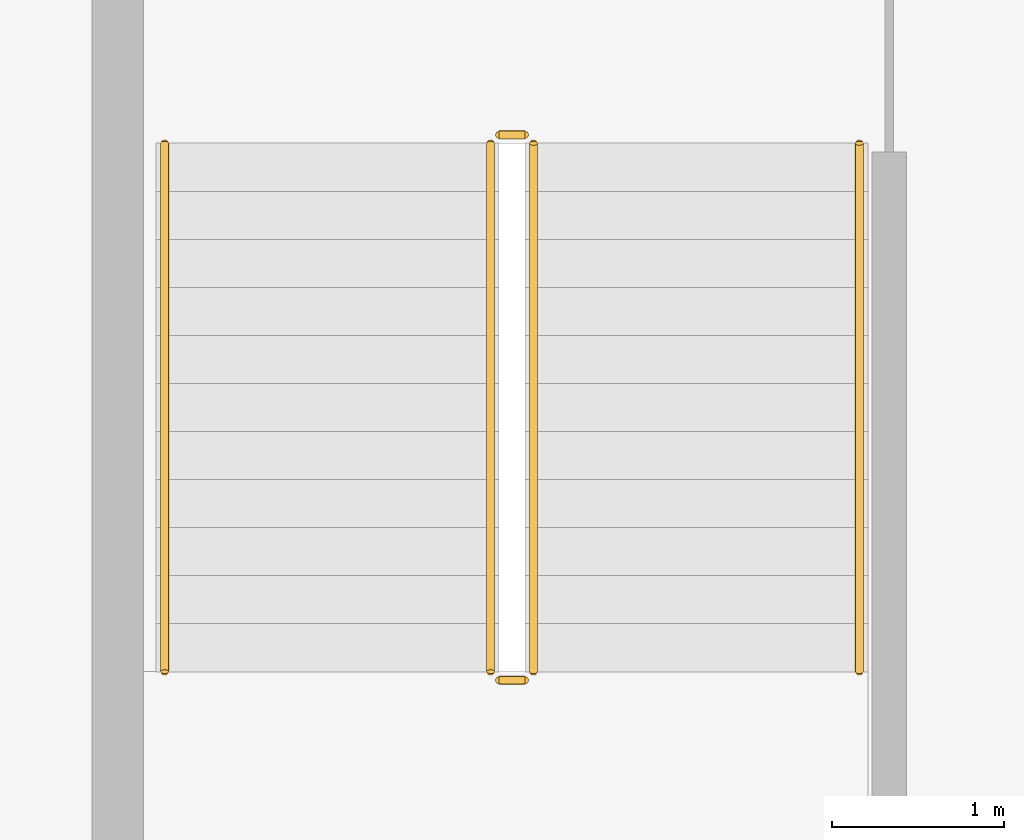
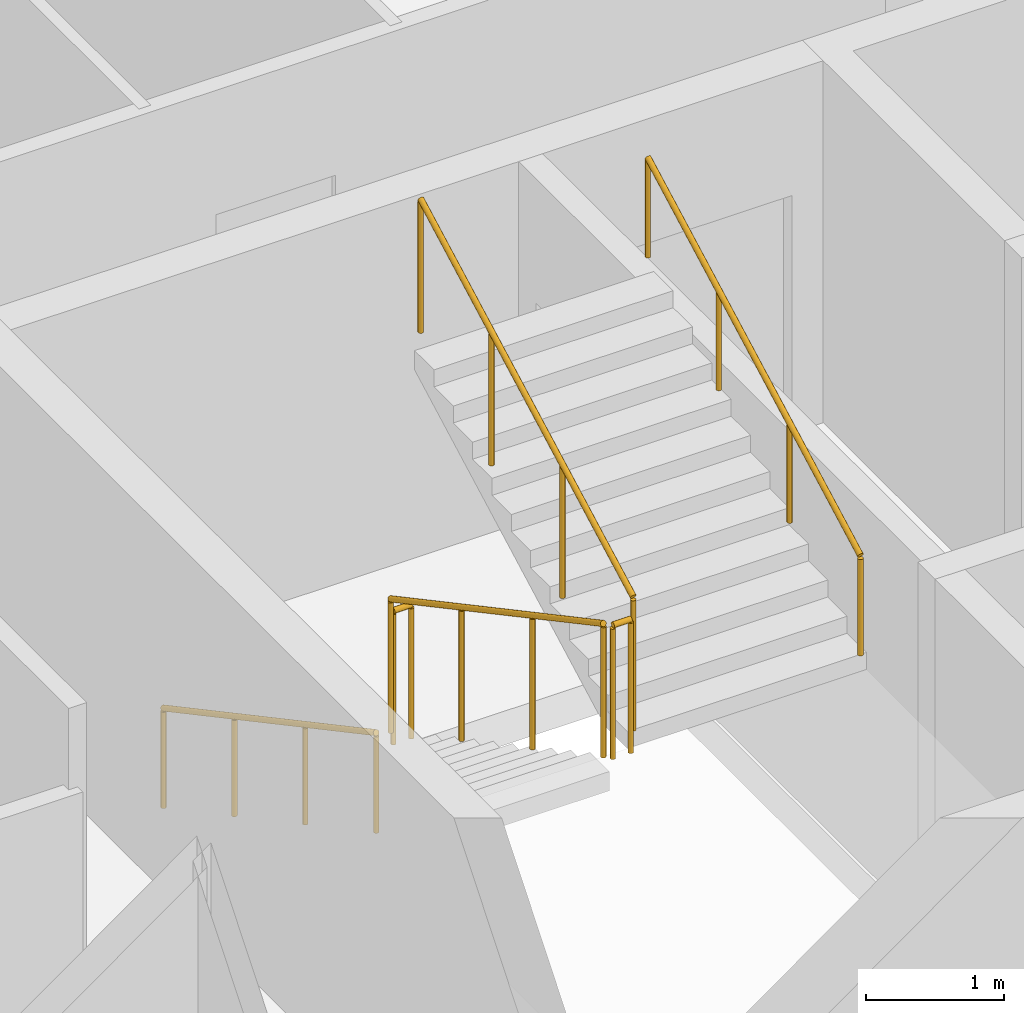
# One storey, part 13 of 15: 6 railings.
"""IFC4 building model written with IfcOpenShell, lengths in metres."""

from ifc_helpers import new_model, si_unit, direction, frame, origin, origin_2d, place, context, subcontext, project, spatial, circle, extrude, material, type_object, element, save


model = new_model("IFC4")

# Units and contexts
model_context = context("Model", 3, precision=1e-05, world=origin(), true_north=direction((0.0, 1.0)))
body_context = subcontext(model_context, "Body", "Model", "MODEL_VIEW")
ifc_project = project(units=[si_unit("LENGTHUNIT", "METRE"), si_unit("AREAUNIT", "SQUARE_METRE"), si_unit("VOLUMEUNIT", "CUBIC_METRE"), si_unit("PLANEANGLEUNIT", "RADIAN"), si_unit("MASSUNIT", "GRAM", prefix="KILO")], contexts=[model_context])

# Site, building, storey
site_placement = place(None, origin())
site = spatial("IfcSite", under=ifc_project, at=site_placement, CompositionType="ELEMENT")
building_placement = place(site_placement, origin())
building = spatial("IfcBuilding", under=site, at=building_placement, Name="Caravel Reach Hotel and Residences", CompositionType="ELEMENT")
storey_placement = place(building_placement, frame((0.0, 0.0, 92.39990234375)))
storey = spatial("IfcBuildingStorey", under=building, at=storey_placement, Name="L22", CompositionType="ELEMENT", Elevation=92.39990234375)

# Railings
ifc_material_1 = material(Name="Steel balustrade with glass infill", Category="steel")
railing_type_1 = type_object("IfcRailingType", Name="Guard 1200", PredefinedType="GUARDRAIL", material=ifc_material_1)
railing_1_placement = place(storey_placement, frame((20.175048828125, 29.35009765625, 0.150146484375)))
element("IfcRailing", 1, at=railing_1_placement, inside=storey, type_object=railing_type_1, Name="L22 ST-A stair guard 1", PredefinedType="GUARDRAIL", context=body_context, shape_type="SweptSolid", body=[
    extrude(circle(Radius=0.02392578125, at=origin_2d()), frame((0.0, 0.0, 1.17578125), z_axis=(0.0, -0.881496589024, 0.472190389079), x_axis=(1.0, 0.0, 0.0)), (0.0, 0.0, 1.0), 3.494140625),
    extrude(circle(Radius=0.02099609375, at=origin_2d()), origin(), (0.0, 0.0, 1.0), 1.15185546875),
    extrude(circle(Radius=0.02099609375, at=origin_2d()), frame((0.0, -1.026611328125, 0.550048828125)), (0.0, 0.0, 1.0), 1.15185546875),
    extrude(circle(Radius=0.02099609375, at=origin_2d()), frame((0.0, -2.053466796875, 1.099853515625)), (0.0, 0.0, 1.0), 1.15185546875),
    extrude(circle(Radius=0.02099609375, at=origin_2d()), frame((0.0, -3.080078125, 1.64990234375)), (0.0, 0.0, 1.0), 1.15185546875),
])
railing_2_placement = place(storey_placement, frame((20.22509765625, 26.219970703125, 1.800048828125)))
element("IfcRailing", 2, at=railing_2_placement, inside=storey, type_object=railing_type_1, Name="L22 ST-A stair guard 2", PredefinedType="GUARDRAIL", context=body_context, shape_type="SweptSolid", body=[
    extrude(circle(Radius=0.02392578125, at=origin_2d()), frame((0.0, 0.0, 1.17578125), z_axis=(1.0, 0.0, 0.0), x_axis=(0.0, 1.0, 0.0)), (0.0, 0.0, 1.0), 0.14990234375),
    extrude(circle(Radius=0.02099609375, at=origin_2d()), origin(), (0.0, 0.0, 1.0), 1.15185546875),
    extrude(circle(Radius=0.02099609375, at=origin_2d()), frame((0.14990234375, 0.0, 0.0)), (0.0, 0.0, 1.0), 1.15185546875),
])
railing_3_placement = place(storey_placement, frame((20.425048828125, 26.27001953125, 1.9501953125)))
element("IfcRailing", 3, at=railing_3_placement, inside=storey, type_object=railing_type_1, Name="L22 ST-A stair guard 3", PredefinedType="GUARDRAIL", context=body_context, shape_type="SweptSolid", body=[
    extrude(circle(Radius=0.02392578125, at=origin_2d()), frame((0.0, 0.0, 1.17578125), z_axis=(0.0, 0.881496589024, 0.472190389079), x_axis=(-1.0, 0.0, 0.0)), (0.0, 0.0, 1.0), 3.494140625),
    extrude(circle(Radius=0.02099609375, at=origin_2d()), origin(), (0.0, 0.0, 1.0), 1.15185546875),
    extrude(circle(Radius=0.02099609375, at=origin_2d()), frame((0.0, 1.026611328125, 0.550048828125)), (0.0, 0.0, 1.0), 1.15185546875),
    extrude(circle(Radius=0.02099609375, at=origin_2d()), frame((0.0, 2.053466796875, 1.099853515625)), (0.0, 0.0, 1.0), 1.15185546875),
    extrude(circle(Radius=0.02099609375, at=origin_2d()), frame((0.0, 3.080078125, 1.64990234375)), (0.0, 0.0, 1.0), 1.15185546875),
])
railing_4_placement = place(storey_placement, frame((20.22509765625, 29.39990234375, 0.0)))
element("IfcRailing", 4, at=railing_4_placement, inside=storey, type_object=railing_type_1, Name="L22 ST-A stair guard 4", PredefinedType="GUARDRAIL", context=body_context, shape_type="SweptSolid", body=[
    extrude(circle(Radius=0.02392578125, at=origin_2d()), frame((0.0, 0.0, 1.17578125), z_axis=(1.0, 0.0, 0.0), x_axis=(0.0, 1.0, 0.0)), (0.0, 0.0, 1.0), 0.14990234375),
    extrude(circle(Radius=0.02099609375, at=origin_2d()), origin(), (0.0, 0.0, 1.0), 1.15185546875),
    extrude(circle(Radius=0.02099609375, at=origin_2d()), frame((0.14990234375, 0.0, 0.0)), (0.0, 0.0, 1.0), 1.15185546875),
])
ifc_material_2 = material(Name="Stainless steel handrail", Category="steel")
railing_type_2 = type_object("IfcRailingType", Name="Handrail 900", PredefinedType="HANDRAIL", material=ifc_material_2)
railing_5_placement = place(storey_placement, frame((18.27490234375, 29.35009765625, 0.150146484375)))
element("IfcRailing", 5, at=railing_5_placement, inside=storey, type_object=railing_type_2, Name="L22 ST-A stair handrail 1", PredefinedType="HANDRAIL", context=body_context, shape_type="SweptSolid", body=[
    extrude(circle(Radius=0.02392578125, at=origin_2d()), frame((0.0, 0.0, 0.8759765625), z_axis=(0.0, -0.881496589024, 0.472190389079), x_axis=(1.0, 0.0, 0.0)), (0.0, 0.0, 1.0), 3.494140625),
    extrude(circle(Radius=0.02099609375, at=origin_2d()), origin(), (0.0, 0.0, 1.0), 0.851806640625),
    extrude(circle(Radius=0.02099609375, at=origin_2d()), frame((0.0, -1.026611328125, 0.550048828125)), (0.0, 0.0, 1.0), 0.851806640625),
    extrude(circle(Radius=0.02099609375, at=origin_2d()), frame((0.0, -2.053466796875, 1.099853515625)), (0.0, 0.0, 1.0), 0.851806640625),
    extrude(circle(Radius=0.02099609375, at=origin_2d()), frame((0.0, -3.080078125, 1.64990234375)), (0.0, 0.0, 1.0), 0.851806640625),
])
railing_6_placement = place(storey_placement, frame((22.324951171875, 26.27001953125, 1.9501953125)))
element("IfcRailing", 6, at=railing_6_placement, inside=storey, type_object=railing_type_2, Name="L22 ST-A stair handrail 2", PredefinedType="HANDRAIL", context=body_context, shape_type="SweptSolid", body=[
    extrude(circle(Radius=0.02392578125, at=origin_2d()), frame((0.0, 0.0, 0.8759765625), z_axis=(0.0, 0.881496589024, 0.472190389079), x_axis=(-1.0, 0.0, 0.0)), (0.0, 0.0, 1.0), 3.494140625),
    extrude(circle(Radius=0.02099609375, at=origin_2d()), origin(), (0.0, 0.0, 1.0), 0.851806640625),
    extrude(circle(Radius=0.02099609375, at=origin_2d()), frame((0.0, 1.026611328125, 0.550048828125)), (0.0, 0.0, 1.0), 0.851806640625),
    extrude(circle(Radius=0.02099609375, at=origin_2d()), frame((0.0, 2.053466796875, 1.099853515625)), (0.0, 0.0, 1.0), 0.851806640625),
    extrude(circle(Radius=0.02099609375, at=origin_2d()), frame((0.0, 3.080078125, 1.64990234375)), (0.0, 0.0, 1.0), 0.851806640625),
])

save(model, "model.ifc")
